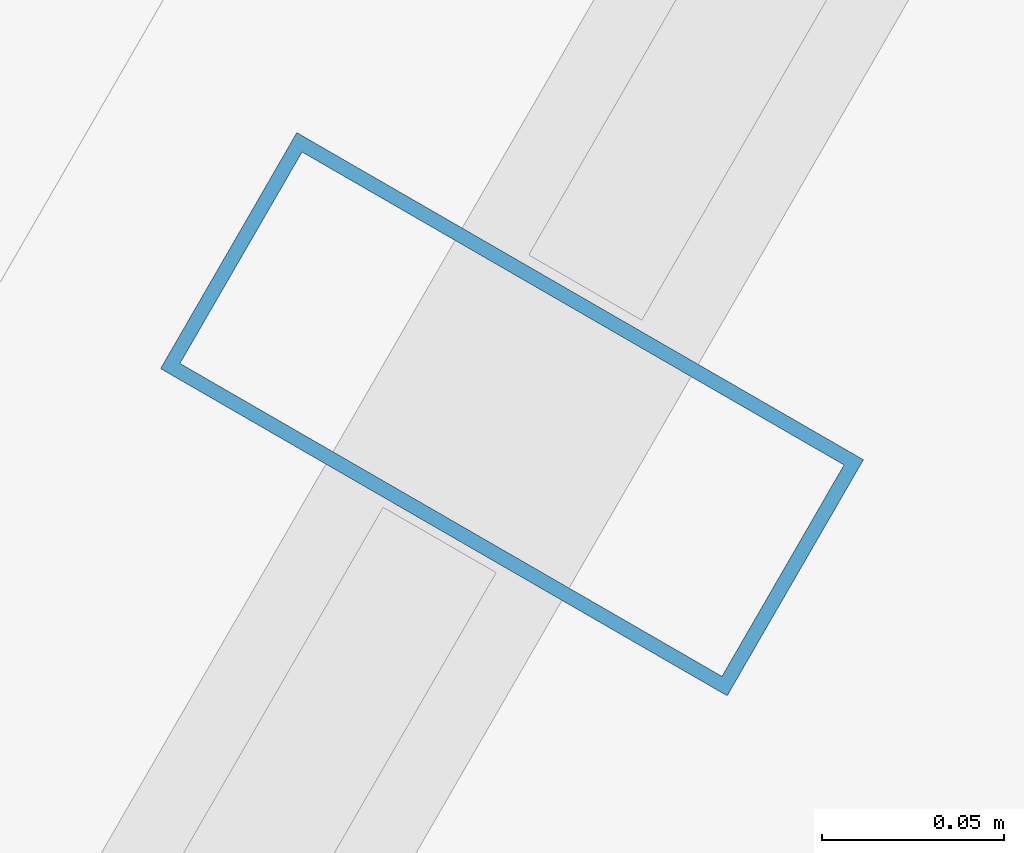
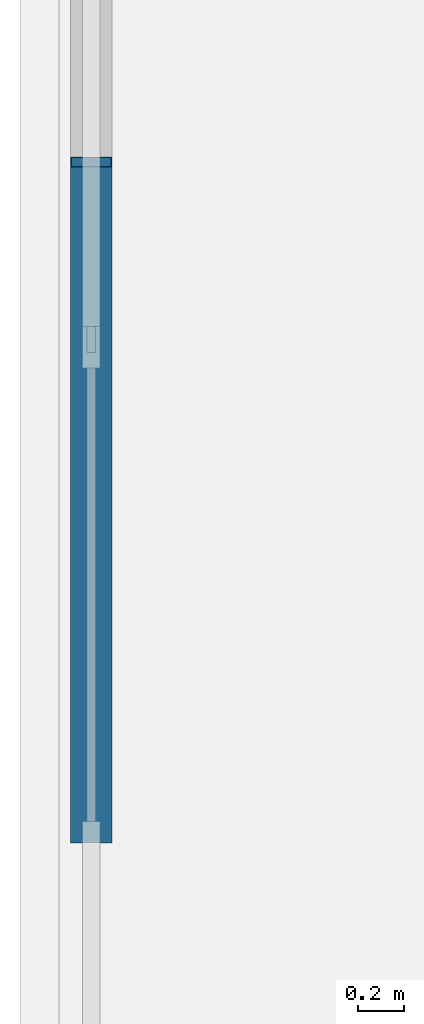
# One storey, part 13 of 31: 1 member, 1 element without a shape of its own.
"""IFC4 building model written with IfcOpenShell, lengths in metres."""

from ifc_helpers import new_model, si_unit, direction, frame, origin, origin_2d, place, context, subcontext, project, spatial, hollow_rectangle, extrude, material, layer, layer_set, material_profile, profile_set, type_object, element, aggregate, save


model = new_model("IFC4")

# Units and contexts
model_context = context("Model", 3, precision=1e-05, world=origin(), true_north=direction((0.0, 1.0)))
body_context = subcontext(model_context, "Body", "Model", "MODEL_VIEW")
ifc_project = project(units=[si_unit("LENGTHUNIT", "METRE"), si_unit("AREAUNIT", "SQUARE_METRE"), si_unit("VOLUMEUNIT", "CUBIC_METRE"), si_unit("PLANEANGLEUNIT", "RADIAN"), si_unit("MASSUNIT", "GRAM", prefix="KILO")], contexts=[model_context])

# Site, building, storey
site_placement = place(None, origin())
site = spatial("IfcSite", under=ifc_project, at=site_placement, CompositionType="ELEMENT")
building_placement = place(site_placement, origin())
building = spatial("IfcBuilding", under=site, at=building_placement, Name="Ndaravel Arena Tower", CompositionType="ELEMENT")
storey_placement = place(building_placement, frame((0.0, 0.0, 100.60009765625)))
storey = spatial("IfcBuildingStorey", under=building, at=storey_placement, Name="L23", CompositionType="ELEMENT", Elevation=100.60009765625)

# Curtain wall, member
ifc_material_1 = material(Name="Aluminium", Category="aluminium")
ifc_layer = layer(ifc_material_1, 0.179931640625)
ifc_layer_set = layer_set([ifc_layer], Name="Aluminium")
curtain_wall_type = type_object("IfcCurtainWallType", Name="CW-SYS-03", PredefinedType="NOTDEFINED", material=ifc_layer_set)
curtain_wall_placement = place(storey_placement, origin())
curtain_wall = element("IfcCurtainWall", 1, at=curtain_wall_placement, inside=storey, type_object=curtain_wall_type, Name="L23 Faceted Crystal Curtain Wall CW-L23-E05", PredefinedType="NOTDEFINED")
ifc_material_2 = material(Name="Aluminium", Category="aluminium")
ifc_material_profile = material_profile(ifc_material_2, hollow_rectangle(XDim=0.074951171875, YDim=0.179931640625, WallThickness=0.00390625, at=origin_2d()), Name="CW MULLION 75x180x4")
ifc_profile_set = profile_set([ifc_material_profile], Name="Aluminium")
member_type = type_object("IfcMemberType", Name="MEM-CW-MUL180", PredefinedType="MULLION", material=ifc_profile_set)
member_placement = place(storey_placement, frame((28.953857421875, 35.038818359375, 0.0), z_axis=(0.0, 0.0, 1.0), x_axis=(-0.5, -0.866025403784, 0.0)))
member = element("IfcMember", 2, at=member_placement, type_object=member_type, Name="CW-L23-E05 Mullion 03", PredefinedType="MULLION", context=body_context, shape_type="SweptSolid", body=[
    extrude(hollow_rectangle(XDim=0.074951171875, YDim=0.179931640625, WallThickness=0.00390625, at=origin_2d()), origin(), (0.0, 0.0, 1.0), 3.579833984375),
])
aggregate(curtain_wall, [member])

save(model, "model.ifc")
